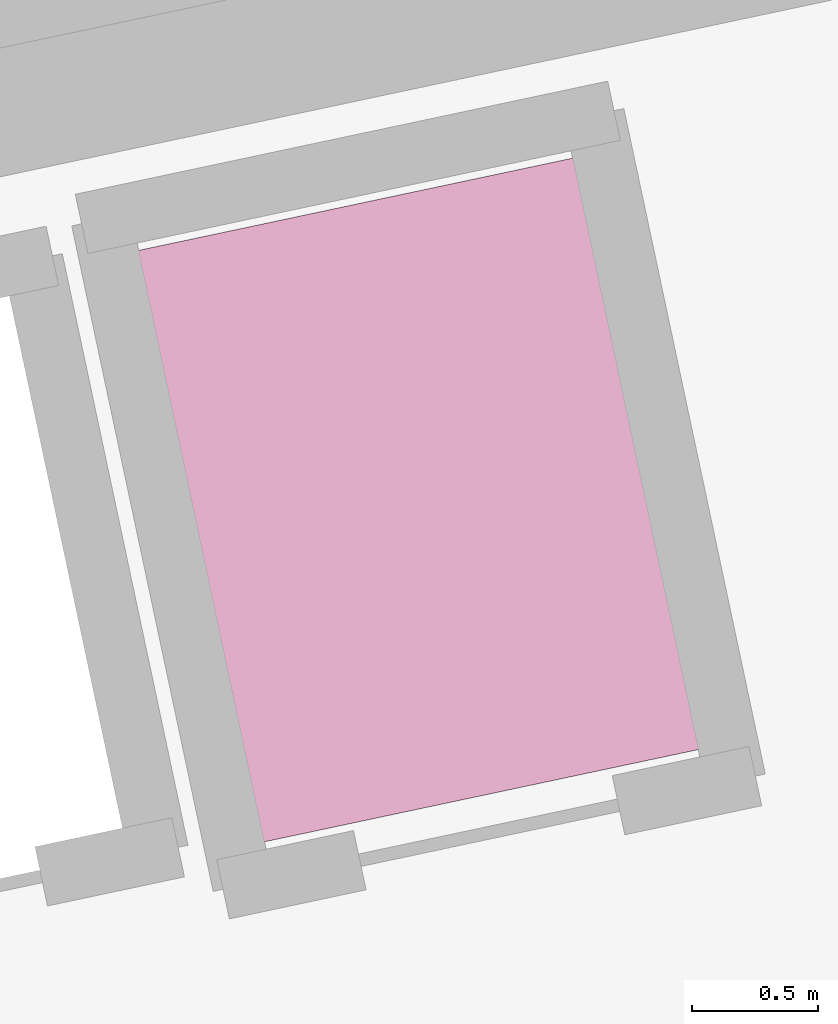
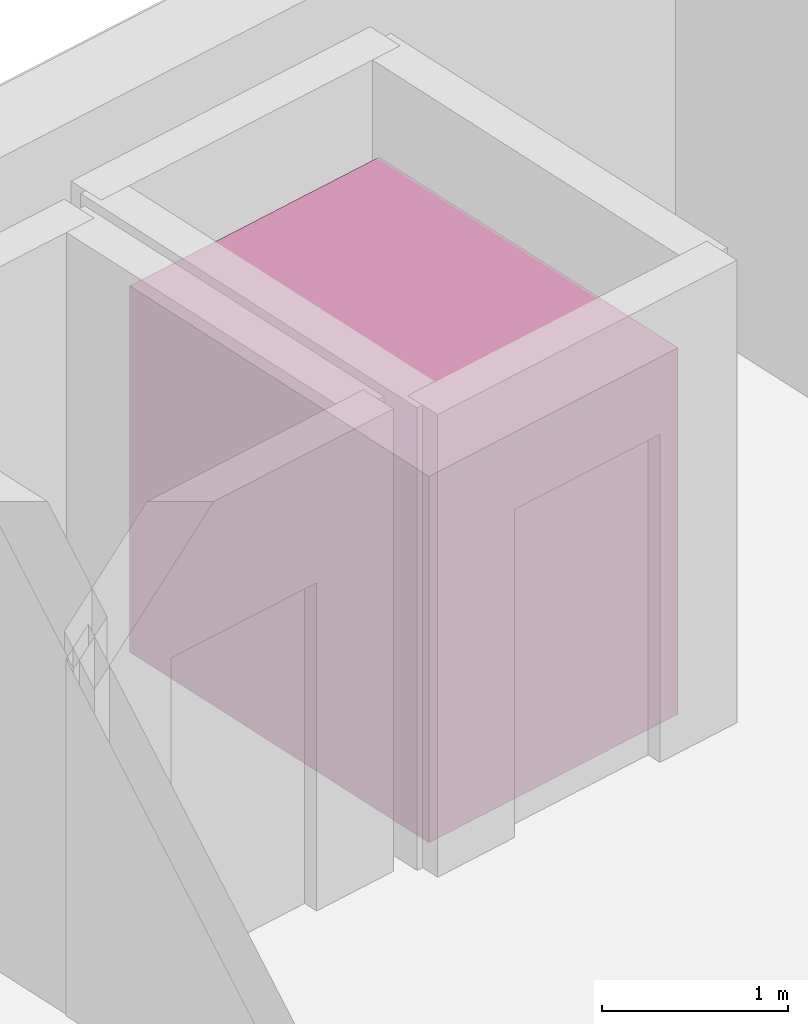
# One storey, part 14 of 14: 1 transport element.
"""IFC4 building model written with IfcOpenShell, lengths in metres."""

from ifc_helpers import new_model, si_unit, direction, frame, origin, origin_2d, place, context, subcontext, project, spatial, rectangle, extrude, material, type_object, element, save


model = new_model("IFC4")

# Units and contexts
model_context = context("Model", 3, precision=1e-05, world=origin(), true_north=direction((0.0, 1.0)))
body_context = subcontext(model_context, "Body", "Model", "MODEL_VIEW")
ifc_project = project(units=[si_unit("LENGTHUNIT", "METRE"), si_unit("AREAUNIT", "SQUARE_METRE"), si_unit("VOLUMEUNIT", "CUBIC_METRE"), si_unit("PLANEANGLEUNIT", "RADIAN"), si_unit("MASSUNIT", "GRAM", prefix="KILO")], contexts=[model_context])

# Site, building, storey
site_placement = place(None, origin())
site = spatial("IfcSite", under=ifc_project, at=site_placement, CompositionType="ELEMENT")
building_placement = place(site_placement, origin())
building = spatial("IfcBuilding", under=site, at=building_placement, Name="Haevon Station Towers", CompositionType="ELEMENT")
storey_placement = place(building_placement, frame((0.0, 0.0, 169.199951171875)))
storey = spatial("IfcBuildingStorey", under=building, at=storey_placement, Name="L46", CompositionType="ELEMENT", Elevation=169.199951171875)

# Transport element
ifc_material = material(Name="Stainless steel cabin assembly", Category="steel")
transport_element_type = type_object("IfcTransportElementType", Name="LFT-PAX1824", PredefinedType="ELEVATOR", material=ifc_material)
transport_element_placement = place(storey_placement, frame((110.248291015625, 47.80908203125, 0.0), z_axis=(0.0, 0.0, 1.0), x_axis=(0.978147600734, 0.207911690818, 0.0)))
element("IfcTransportElement", 1, at=transport_element_placement, inside=storey, type_object=transport_element_type, Name="Tower 2 Upper Shuttle Passenger Lift PL9", PredefinedType="ELEVATOR", context=body_context, shape_type="SweptSolid", body=[
    extrude(rectangle(XDim=1.800048828125, YDim=2.39990234375, at=origin_2d()), origin(), (0.0, 0.0, 1.0), 2.39990234375),
])

save(model, "model.ifc")
